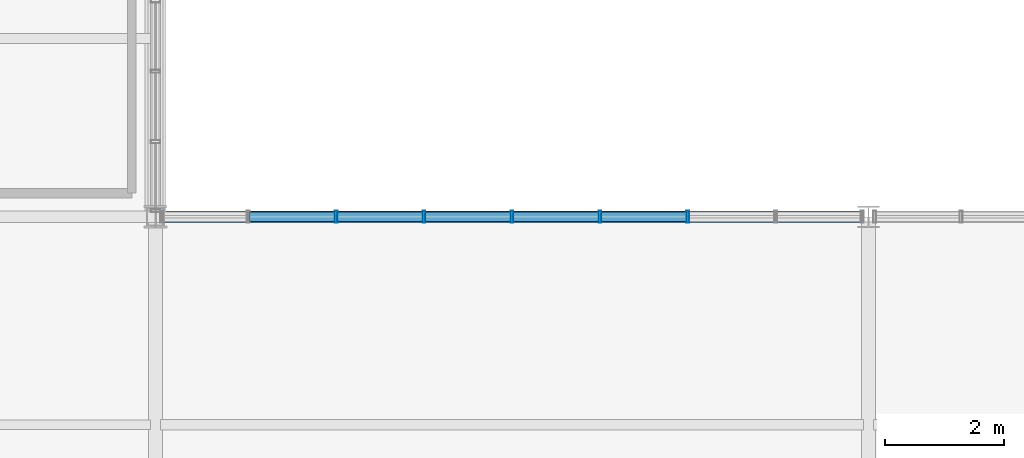
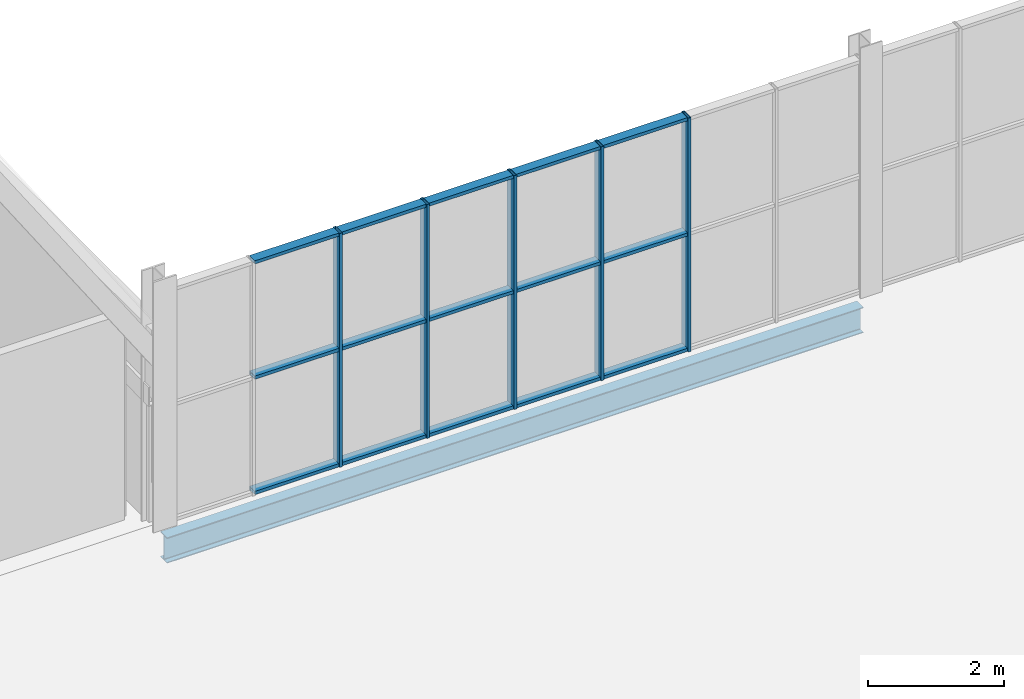
# One storey, part 216 of 324: 20 members, 1 beam, 1 element without a shape of its own.
"""IFC4 building model written with IfcOpenShell, lengths in metres."""

from ifc_helpers import new_model, si_unit, direction, frame, origin, origin_2d, place, context, subcontext, project, spatial, hollow_rectangle, i_section, extrude, material, layer, layer_set, material_profile, profile_set, type_object, element, aggregate, save


model = new_model("IFC4")

# Units and contexts
model_context = context("Model", 3, precision=1e-05, world=origin(), true_north=direction((0.0, 1.0)))
body_context = subcontext(model_context, "Body", "Model", "MODEL_VIEW")
ifc_project = project(units=[si_unit("LENGTHUNIT", "METRE"), si_unit("AREAUNIT", "SQUARE_METRE"), si_unit("VOLUMEUNIT", "CUBIC_METRE"), si_unit("PLANEANGLEUNIT", "RADIAN"), si_unit("MASSUNIT", "GRAM", prefix="KILO")], contexts=[model_context])

# Site, building, storey
site_placement = place(None, origin())
site = spatial("IfcSite", under=ifc_project, at=site_placement, CompositionType="ELEMENT")
building_placement = place(site_placement, origin())
building = spatial("IfcBuilding", under=site, at=building_placement, Name="Solvenia Promenade Tram Depot", CompositionType="ELEMENT")
storey_placement = place(building_placement, frame((0.0, 0.0, 4.5)))
storey = spatial("IfcBuildingStorey", under=building, at=storey_placement, Name="L01", CompositionType="ELEMENT", Elevation=4.5)

# Curtain wall, members
ifc_material_1 = material(Name="Anodized aluminium AW-6063 T6", Category="aluminium")
ifc_layer = layer(ifc_material_1, 0.080078125, Name="Anodized aluminium AW-6063 T6", Category="aluminium")
ifc_layer_set = layer_set([ifc_layer], Name="Anodized aluminium AW-6063 T6")
curtain_wall_type = type_object("IfcCurtainWallType", Name="CW-Clerest-1500", PredefinedType="NOTDEFINED", material=ifc_layer_set)
curtain_wall_placement = place(storey_placement, origin())
curtain_wall = element("IfcCurtainWall", 1, at=curtain_wall_placement, inside=storey, type_object=curtain_wall_type, Name="Curtain Wall CW-V2N-L1-150", PredefinedType="NOTDEFINED")
ifc_material_profile_1 = material_profile(ifc_material_1, hollow_rectangle(XDim=0.199951171875, YDim=0.048095703125, WallThickness=0.00390625, at=origin_2d()), Name="ALU-M3", Category="aluminium")
ifc_profile_set_1 = profile_set([ifc_material_profile_1], Name="Anodized aluminium AW-6063 T6")
member_type_1 = type_object("IfcMemberType", Name="CWM-Mullion-3", PredefinedType="MULLION", material=ifc_profile_set_1)
member_1_placement = place(storey_placement, frame((153.0400390625, 66.0, 0.0), z_axis=(0.0, 0.0, 1.0), x_axis=(0.0, 1.0, 0.0)))
member_1 = element("IfcMember", 2, at=member_1_placement, type_object=member_type_1, Name="CW-4 mullion 3", PredefinedType="MULLION", context=body_context, shape_type="SweptSolid", body=[
    extrude(hollow_rectangle(XDim=0.199951171875, YDim=0.048095703125, WallThickness=0.00390625, at=origin_2d()), origin(), (0.0, 0.0, 1.0), 4.199951171875),
])
member_2_placement = place(storey_placement, frame((154.52001953125, 66.0, 0.0), z_axis=(0.0, 0.0, 1.0), x_axis=(0.0, 1.0, 0.0)))
member_2 = element("IfcMember", 3, at=member_2_placement, type_object=member_type_1, Name="CW-4 mullion 4", PredefinedType="MULLION", context=body_context, shape_type="SweptSolid", body=[
    extrude(hollow_rectangle(XDim=0.199951171875, YDim=0.048095703125, WallThickness=0.00390625, at=origin_2d()), origin(), (0.0, 0.0, 1.0), 4.199951171875),
])
member_3_placement = place(storey_placement, frame((156.0, 66.0, 0.0), z_axis=(0.0, 0.0, 1.0), x_axis=(0.0, 1.0, 0.0)))
member_3 = element("IfcMember", 4, at=member_3_placement, type_object=member_type_1, Name="CW-4 mullion 5", PredefinedType="MULLION", context=body_context, shape_type="SweptSolid", body=[
    extrude(hollow_rectangle(XDim=0.199951171875, YDim=0.048095703125, WallThickness=0.00390625, at=origin_2d()), origin(), (0.0, 0.0, 1.0), 4.199951171875),
])
member_4_placement = place(storey_placement, frame((157.47998046875, 66.0, 0.0), z_axis=(0.0, 0.0, 1.0), x_axis=(0.0, 1.0, 0.0)))
member_4 = element("IfcMember", 5, at=member_4_placement, type_object=member_type_1, Name="CW-4 mullion 6", PredefinedType="MULLION", context=body_context, shape_type="SweptSolid", body=[
    extrude(hollow_rectangle(XDim=0.199951171875, YDim=0.048095703125, WallThickness=0.00390625, at=origin_2d()), origin(), (0.0, 0.0, 1.0), 4.199951171875),
])
member_5_placement = place(storey_placement, frame((158.9599609375, 66.0, 0.0), z_axis=(0.0, 0.0, 1.0), x_axis=(0.0, 1.0, 0.0)))
member_5 = element("IfcMember", 6, at=member_5_placement, type_object=member_type_1, Name="CW-4 mullion 7", PredefinedType="MULLION", context=body_context, shape_type="SweptSolid", body=[
    extrude(hollow_rectangle(XDim=0.199951171875, YDim=0.048095703125, WallThickness=0.00390625, at=origin_2d()), origin(), (0.0, 0.0, 1.0), 4.199951171875),
])
ifc_material_profile_2 = material_profile(ifc_material_1, hollow_rectangle(XDim=0.159912109375, YDim=0.05810546875, WallThickness=0.00390625, at=origin_2d()), Name="ALU-T3", Category="aluminium")
ifc_profile_set_2 = profile_set([ifc_material_profile_2], Name="Anodized aluminium AW-6063 T6")
member_type_2 = type_object("IfcMemberType", Name="CWT-Transom-3", PredefinedType="USERDEFINED", material=ifc_profile_set_2)
member_6_placement = place(storey_placement, frame((151.583984375, 66.0, 0.029052734375), z_axis=(1.0, 0.0, 0.0), x_axis=(0.0, 1.0, 0.0)))
member_6 = element("IfcMember", 7, at=member_6_placement, type_object=member_type_2, Name="CW-4 transom 2.1", ObjectType="TRANSOM", PredefinedType="USERDEFINED", context=body_context, shape_type="SweptSolid", body=[
    extrude(hollow_rectangle(XDim=0.159912109375, YDim=0.05810546875, WallThickness=0.00390625, at=origin_2d()), origin(), (0.0, 0.0, 1.0), 1.43212890625),
])
member_7_placement = place(storey_placement, frame((151.583984375, 66.0, 2.10009765625), z_axis=(1.0, 0.0, 0.0), x_axis=(0.0, 1.0, 0.0)))
member_7 = element("IfcMember", 8, at=member_7_placement, type_object=member_type_2, Name="CW-4 transom 2.2", ObjectType="TRANSOM", PredefinedType="USERDEFINED", context=body_context, shape_type="SweptSolid", body=[
    extrude(hollow_rectangle(XDim=0.159912109375, YDim=0.05810546875, WallThickness=0.00390625, at=origin_2d()), origin(), (0.0, 0.0, 1.0), 1.43212890625),
])
member_8_placement = place(storey_placement, frame((151.583984375, 66.0, 4.1708984375), z_axis=(1.0, 0.0, 0.0), x_axis=(0.0, 1.0, 0.0)))
member_8 = element("IfcMember", 9, at=member_8_placement, type_object=member_type_2, Name="CW-4 transom 2.3", ObjectType="TRANSOM", PredefinedType="USERDEFINED", context=body_context, shape_type="SweptSolid", body=[
    extrude(hollow_rectangle(XDim=0.159912109375, YDim=0.05810546875, WallThickness=0.00390625, at=origin_2d()), origin(), (0.0, 0.0, 1.0), 1.43212890625),
])
member_9_placement = place(storey_placement, frame((153.06396484375, 66.0, 0.029052734375), z_axis=(1.0, 0.0, 0.0), x_axis=(0.0, 1.0, 0.0)))
member_9 = element("IfcMember", 10, at=member_9_placement, type_object=member_type_2, Name="CW-4 transom 3.1", ObjectType="TRANSOM", PredefinedType="USERDEFINED", context=body_context, shape_type="SweptSolid", body=[
    extrude(hollow_rectangle(XDim=0.159912109375, YDim=0.05810546875, WallThickness=0.00390625, at=origin_2d()), origin(), (0.0, 0.0, 1.0), 1.43212890625),
])
member_10_placement = place(storey_placement, frame((153.06396484375, 66.0, 2.10009765625), z_axis=(1.0, 0.0, 0.0), x_axis=(0.0, 1.0, 0.0)))
member_10 = element("IfcMember", 11, at=member_10_placement, type_object=member_type_2, Name="CW-4 transom 3.2", ObjectType="TRANSOM", PredefinedType="USERDEFINED", context=body_context, shape_type="SweptSolid", body=[
    extrude(hollow_rectangle(XDim=0.159912109375, YDim=0.05810546875, WallThickness=0.00390625, at=origin_2d()), origin(), (0.0, 0.0, 1.0), 1.43212890625),
])
member_11_placement = place(storey_placement, frame((153.06396484375, 66.0, 4.1708984375), z_axis=(1.0, 0.0, 0.0), x_axis=(0.0, 1.0, 0.0)))
member_11 = element("IfcMember", 12, at=member_11_placement, type_object=member_type_2, Name="CW-4 transom 3.3", ObjectType="TRANSOM", PredefinedType="USERDEFINED", context=body_context, shape_type="SweptSolid", body=[
    extrude(hollow_rectangle(XDim=0.159912109375, YDim=0.05810546875, WallThickness=0.00390625, at=origin_2d()), origin(), (0.0, 0.0, 1.0), 1.43212890625),
])
member_12_placement = place(storey_placement, frame((154.5439453125, 66.0, 0.029052734375), z_axis=(1.0, 0.0, 0.0), x_axis=(0.0, 1.0, 0.0)))
member_12 = element("IfcMember", 13, at=member_12_placement, type_object=member_type_2, Name="CW-4 transom 4.1", ObjectType="TRANSOM", PredefinedType="USERDEFINED", context=body_context, shape_type="SweptSolid", body=[
    extrude(hollow_rectangle(XDim=0.159912109375, YDim=0.05810546875, WallThickness=0.00390625, at=origin_2d()), origin(), (0.0, 0.0, 1.0), 1.43212890625),
])
member_13_placement = place(storey_placement, frame((154.5439453125, 66.0, 2.10009765625), z_axis=(1.0, 0.0, 0.0), x_axis=(0.0, 1.0, 0.0)))
member_13 = element("IfcMember", 14, at=member_13_placement, type_object=member_type_2, Name="CW-4 transom 4.2", ObjectType="TRANSOM", PredefinedType="USERDEFINED", context=body_context, shape_type="SweptSolid", body=[
    extrude(hollow_rectangle(XDim=0.159912109375, YDim=0.05810546875, WallThickness=0.00390625, at=origin_2d()), origin(), (0.0, 0.0, 1.0), 1.43212890625),
])
member_14_placement = place(storey_placement, frame((154.5439453125, 66.0, 4.1708984375), z_axis=(1.0, 0.0, 0.0), x_axis=(0.0, 1.0, 0.0)))
member_14 = element("IfcMember", 15, at=member_14_placement, type_object=member_type_2, Name="CW-4 transom 4.3", ObjectType="TRANSOM", PredefinedType="USERDEFINED", context=body_context, shape_type="SweptSolid", body=[
    extrude(hollow_rectangle(XDim=0.159912109375, YDim=0.05810546875, WallThickness=0.00390625, at=origin_2d()), origin(), (0.0, 0.0, 1.0), 1.43212890625),
])
member_15_placement = place(storey_placement, frame((156.02392578125, 66.0, 0.029052734375), z_axis=(1.0, 0.0, 0.0), x_axis=(0.0, 1.0, 0.0)))
member_15 = element("IfcMember", 16, at=member_15_placement, type_object=member_type_2, Name="CW-4 transom 5.1", ObjectType="TRANSOM", PredefinedType="USERDEFINED", context=body_context, shape_type="SweptSolid", body=[
    extrude(hollow_rectangle(XDim=0.159912109375, YDim=0.05810546875, WallThickness=0.00390625, at=origin_2d()), origin(), (0.0, 0.0, 1.0), 1.43212890625),
])
member_16_placement = place(storey_placement, frame((156.02392578125, 66.0, 2.10009765625), z_axis=(1.0, 0.0, 0.0), x_axis=(0.0, 1.0, 0.0)))
member_16 = element("IfcMember", 17, at=member_16_placement, type_object=member_type_2, Name="CW-4 transom 5.2", ObjectType="TRANSOM", PredefinedType="USERDEFINED", context=body_context, shape_type="SweptSolid", body=[
    extrude(hollow_rectangle(XDim=0.159912109375, YDim=0.05810546875, WallThickness=0.00390625, at=origin_2d()), origin(), (0.0, 0.0, 1.0), 1.43212890625),
])
member_17_placement = place(storey_placement, frame((156.02392578125, 66.0, 4.1708984375), z_axis=(1.0, 0.0, 0.0), x_axis=(0.0, 1.0, 0.0)))
member_17 = element("IfcMember", 18, at=member_17_placement, type_object=member_type_2, Name="CW-4 transom 5.3", ObjectType="TRANSOM", PredefinedType="USERDEFINED", context=body_context, shape_type="SweptSolid", body=[
    extrude(hollow_rectangle(XDim=0.159912109375, YDim=0.05810546875, WallThickness=0.00390625, at=origin_2d()), origin(), (0.0, 0.0, 1.0), 1.43212890625),
])
member_18_placement = place(storey_placement, frame((157.50390625, 66.0, 0.029052734375), z_axis=(1.0, 0.0, 0.0), x_axis=(0.0, 1.0, 0.0)))
member_18 = element("IfcMember", 19, at=member_18_placement, type_object=member_type_2, Name="CW-4 transom 6.1", ObjectType="TRANSOM", PredefinedType="USERDEFINED", context=body_context, shape_type="SweptSolid", body=[
    extrude(hollow_rectangle(XDim=0.159912109375, YDim=0.05810546875, WallThickness=0.00390625, at=origin_2d()), origin(), (0.0, 0.0, 1.0), 1.43212890625),
])
member_19_placement = place(storey_placement, frame((157.50390625, 66.0, 2.10009765625), z_axis=(1.0, 0.0, 0.0), x_axis=(0.0, 1.0, 0.0)))
member_19 = element("IfcMember", 20, at=member_19_placement, type_object=member_type_2, Name="CW-4 transom 6.2", ObjectType="TRANSOM", PredefinedType="USERDEFINED", context=body_context, shape_type="SweptSolid", body=[
    extrude(hollow_rectangle(XDim=0.159912109375, YDim=0.05810546875, WallThickness=0.00390625, at=origin_2d()), origin(), (0.0, 0.0, 1.0), 1.43212890625),
])
member_20_placement = place(storey_placement, frame((157.50390625, 66.0, 4.1708984375), z_axis=(1.0, 0.0, 0.0), x_axis=(0.0, 1.0, 0.0)))
member_20 = element("IfcMember", 21, at=member_20_placement, type_object=member_type_2, Name="CW-4 transom 6.3", ObjectType="TRANSOM", PredefinedType="USERDEFINED", context=body_context, shape_type="SweptSolid", body=[
    extrude(hollow_rectangle(XDim=0.159912109375, YDim=0.05810546875, WallThickness=0.00390625, at=origin_2d()), origin(), (0.0, 0.0, 1.0), 1.43212890625),
])
aggregate(curtain_wall, [member_1, member_2, member_3, member_4, member_5, member_6, member_7, member_8, member_9, member_10, member_11, member_12, member_13, member_14, member_15, member_16, member_17, member_18, member_19, member_20])

# Beam
ifc_material_2 = material(Name="Structural steel ASTM A992 Gr. 50", Category="steel")
ifc_material_profile_3 = material_profile(ifc_material_2, i_section(OverallWidth=0.19091796875, OverallDepth=0.4599609375, WebThickness=0.010009765625, FlangeThickness=0.01611328125, FilletRadius=0.012939453125, at=origin_2d()), Name="W460x82", Category="steel")
ifc_profile_set_3 = profile_set([ifc_material_profile_3], Name="Structural steel ASTM A992 Gr. 50")
beam_type = type_object("IfcBeamType", Name="Spandrel-W460x82", PredefinedType="SPANDREL", material=ifc_profile_set_3)
beam_placement = place(storey_placement, frame((150.0849609375, 66.0, -0.469970703125), z_axis=(1.0, 0.0, 0.0), x_axis=(0.0, 1.0, 0.0)))
element("IfcBeam", 22, at=beam_placement, inside=storey, type_object=beam_type, Name="Perimeter Spandrel BM-L01-0138", PredefinedType="SPANDREL", context=body_context, shape_type="SweptSolid", body=[
    extrude(i_section(OverallWidth=0.19091796875, OverallDepth=0.4599609375, WebThickness=0.010009765625, FlangeThickness=0.01611328125, FilletRadius=0.012939453125, at=origin_2d()), origin(), (0.0, 0.0, 1.0), 11.830078125),
])

save(model, "model.ifc")
